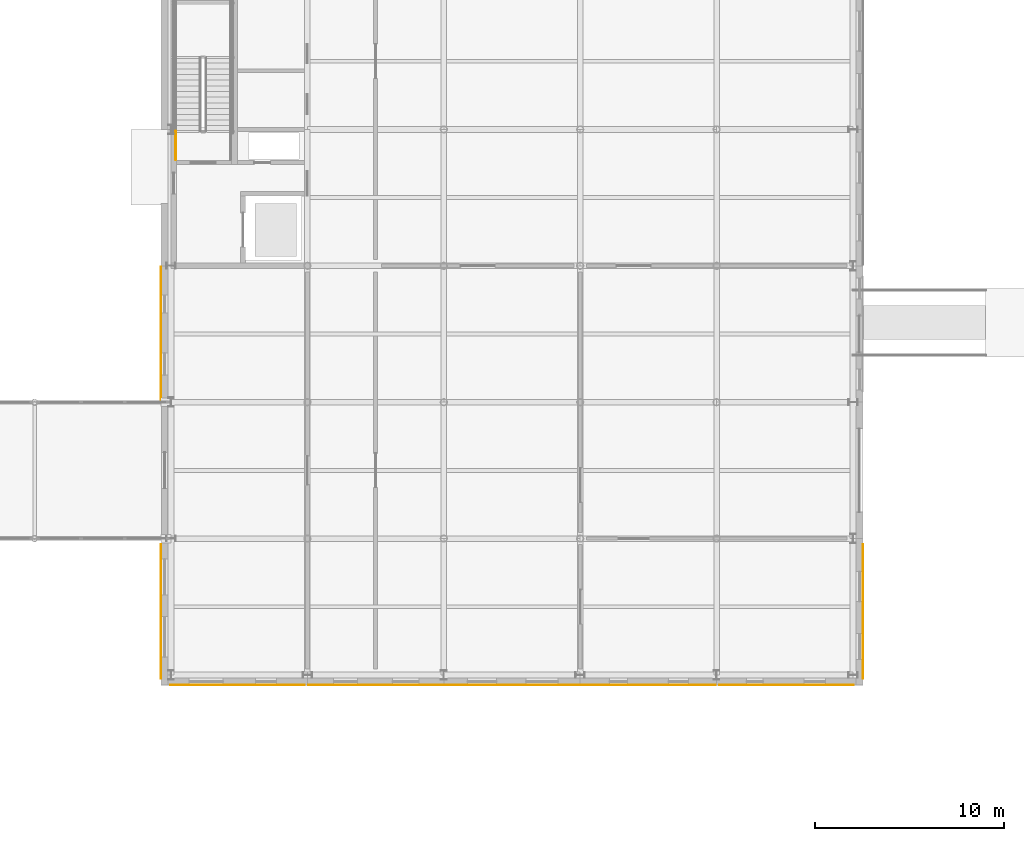
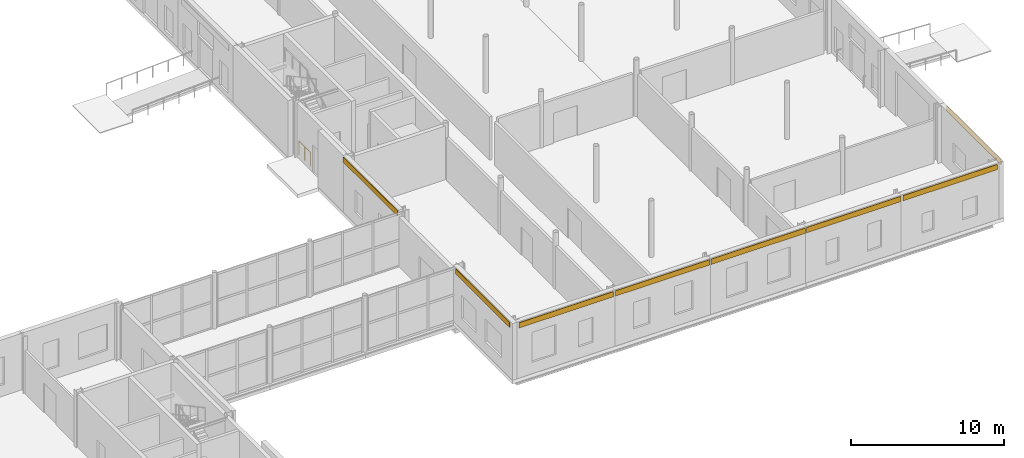
# One storey, part 85 of 92: 8 coverings, 1 railing.
"""IFC4 building model written with IfcOpenShell, lengths in metres."""

from ifc_helpers import new_model, si_unit, direction, frame, origin, origin_2d, place, context, subcontext, project, spatial, rectangle, circle, extrude, material, layer, layer_set, type_object, element, save


model = new_model("IFC4")

# Units and contexts
model_context = context("Model", 3, precision=1e-05, world=origin(), true_north=direction((0.0, 1.0)))
body_context = subcontext(model_context, "Body", "Model", "MODEL_VIEW")
ifc_project = project(units=[si_unit("LENGTHUNIT", "METRE"), si_unit("AREAUNIT", "SQUARE_METRE"), si_unit("VOLUMEUNIT", "CUBIC_METRE"), si_unit("PLANEANGLEUNIT", "RADIAN"), si_unit("MASSUNIT", "GRAM", prefix="KILO")], contexts=[model_context])

# Site, building, storey
site_placement = place(None, origin())
site = spatial("IfcSite", under=ifc_project, at=site_placement, CompositionType="ELEMENT")
building_placement = place(site_placement, origin())
building = spatial("IfcBuilding", under=site, at=building_placement, Name="Zlatovets Crest Museum", CompositionType="ELEMENT")
storey_placement = place(building_placement, origin())
storey = spatial("IfcBuildingStorey", under=building, at=storey_placement, Name="L00", CompositionType="ELEMENT", Elevation=0.0)

# Coverings
ifc_material_1 = material(Name="Polychrome turquoise-gold glazed majolica ceramic frieze")
ifc_layer = layer(ifc_material_1, 0.0400390625)
ifc_layer_set = layer_set([ifc_layer], Name="Polychrome turquoise-gold glazed majolica ceramic frieze")
covering_type = type_object("IfcCoveringType", Name="MajolicaFrieze_CL01", PredefinedType="CLADDING", material=ifc_layer_set)
for number, where, z_axis, x_axis, name in (
    (1, (133.117431640625, 13.8701171875, 4.010009765625), (0.0, 0.0, 1.0), (1.0, 0.0, 0.0), "Sofia Secession Majolica Plinth Frieze"),
    (2, (140.39990234375, 13.8701171875, 4.010009765625), (0.0, 0.0, 1.0), (1.0, 0.0, 0.0), "Sofia Secession Majolica Plinth Frieze"),
    (3, (147.60009765625, 13.8701171875, 4.010009765625), (0.0, 0.0, 1.0), (1.0, 0.0, 0.0), "Sofia Secession Majolica Plinth Frieze"),
    (4, (154.800048828125, 13.8701171875, 4.010009765625), (0.0, 0.0, 1.0), (1.0, 0.0, 0.0), "Sofia Secession Majolica Plinth Frieze"),
    (5, (162.08251953125, 13.8701171875, 4.010009765625), (0.0, 0.0, 1.0), (1.0, 0.0, 0.0), "Sofia Secession Majolica Plinth Frieze"),
    (6, (166.1298828125, 17.742431640625, 4.010009765625), (0.0, 0.0, 1.0), (0.0, 1.0, 0.0), "Sofia Secession Majolica Plinth Frieze"),
    (7, (129.070068359375, 32.39990234375, 4.010009765625), (0.0, 0.0, 1.0), (0.0, 1.0, 0.0), "Sofia Secession Majolica Plinth Frieze"),
    (8, (129.070068359375, 17.742431640625, 4.010009765625), (0.0, 0.0, 1.0), (0.0, 1.0, 0.0), "Sofia Secession Majolica Plinth Frieze"),
):
    element("IfcCovering", number, at=place(storey_placement, frame(where, z_axis=z_axis, x_axis=x_axis)), inside=storey, type_object=covering_type, Name=name, PredefinedType="CLADDING", context=body_context, shape_type="SweptSolid", body=[
        extrude(rectangle(XDim=7.10009765625, YDim=0.0400390625, at=origin_2d()), origin(), (0.0, 0.0, 1.0), 0.419921875),
    ])

# Railing
ifc_material_2 = material(Name="Painted steel safety guardrail", Category="steel")
railing_type = type_object("IfcRailingType", Name="StairGuard_SG01", PredefinedType="GUARDRAIL", material=ifc_material_2)
railing_placement = place(storey_placement, frame((129.85009765625, 41.60009765625, 0.0)))
element("IfcRailing", 9, at=railing_placement, inside=storey, type_object=railing_type, Name="L00 ST5 stair guard 8", PredefinedType="GUARDRAIL", context=body_context, shape_type="SweptSolid", body=[
    extrude(circle(Radius=0.02392578125, at=origin_2d()), frame((0.0, 0.0, 1.076171875), z_axis=(0.0, 1.0, 0.0), x_axis=(-1.0, 0.0, 0.0)), (0.0, 0.0, 1.0), 1.5),
    extrude(circle(Radius=0.02099609375, at=origin_2d()), origin(), (0.0, 0.0, 1.0), 1.052001953125),
    extrude(circle(Radius=0.02099609375, at=origin_2d()), frame((0.0, 0.75, 0.0)), (0.0, 0.0, 1.0), 1.052001953125),
    extrude(circle(Radius=0.02099609375, at=origin_2d()), frame((0.0, 1.5, 0.0)), (0.0, 0.0, 1.0), 1.052001953125),
])

save(model, "model.ifc")
